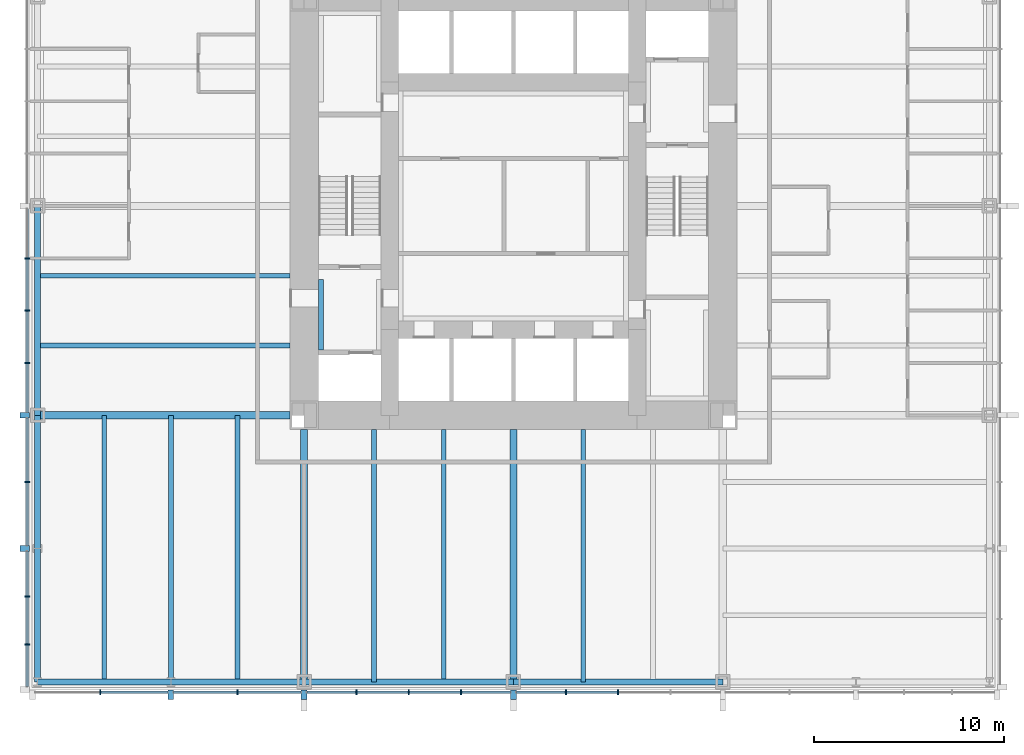
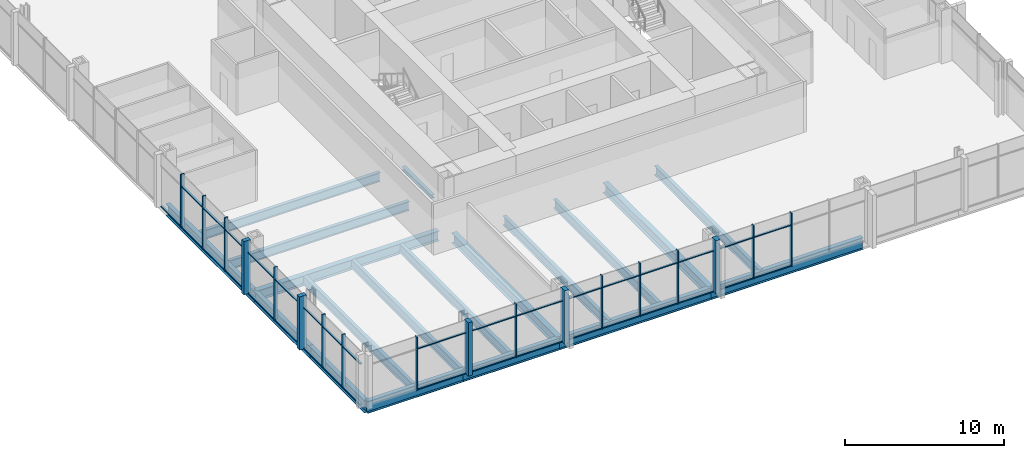
# One storey, part 2 of 12: 53 members, 19 beams, 2 elements without a shape of their own.
"""IFC4 building model written with IfcOpenShell, lengths in metres."""

import ifcopenshell
import ifcopenshell.guid

model = None  # the IFC model being written
_history = None  # IfcOwnerHistory: only IFC2X3 demands one
_inside = {}  # id of a spatial element -> (the spatial element, [elements in it])
_under = {}  # id of a project, library or spatial element -> (it, [spatial elements below it])
_declared = {}  # id of a project -> (the project, [libraries it declares])
_typed = {}  # id of a type object -> (the type object, [elements of that type])
_made_of = {}  # id of a material, layer set ... -> (it, [elements and type objects made of it])


def new_model(schema):
    """Start an empty IFC model of exactly this schema.

    Asked for "IFC4X3", IfcOpenShell would pick the latest addendum, in which some entities
    have other attributes; the version numbers below select the first issue.
    IFC2X3 requires an IfcOwnerHistory on every rooted entity: one is made here for all.
    """
    global model, _history
    if schema == "IFC4X3":
        model = ifcopenshell.file(schema_version=(4, 3, 0, 0))
    else:
        model = ifcopenshell.file(schema=schema)
    _inside.clear()
    _under.clear()
    _declared.clear()
    _typed.clear()
    _made_of.clear()
    _history = None
    if model.schema == "IFC2X3":
        org = make("IfcOrganization", Name="unknown")
        user = make(
            "IfcPersonAndOrganization",
            ThePerson=make("IfcPerson", FamilyName="unknown"),
            TheOrganization=org,
        )
        app = make(
            "IfcApplication",
            ApplicationDeveloper=org,
            Version="unknown",
            ApplicationFullName="unknown",
            ApplicationIdentifier="unknown",
        )
        _history = make(
            "IfcOwnerHistory",
            OwningUser=user,
            OwningApplication=app,
            ChangeAction="ADDED",
            CreationDate=0,
        )
    return model


def make(cls, **values):
    """One entity of the class cls with the attributes given. An attribute that is None is left unset."""
    return model.create_entity(
        cls, **{name: value for name, value in values.items() if value is not None}
    )


def rooted(cls, **values):
    """An entity with a GlobalId (a new one), such as an element, a storey or a relation."""
    return make(cls, GlobalId=ifcopenshell.guid.new(), OwnerHistory=_history, **values)


def si_unit(unit_type, name, prefix=None):
    """IfcSIUnit, for example si_unit("LENGTHUNIT", "METRE", prefix="MILLI")."""
    return make("IfcSIUnit", UnitType=unit_type, Prefix=prefix, Name=name)


def assignment(units):
    """IfcUnitAssignment: the units of a project."""
    return None if units is None else make("IfcUnitAssignment", Units=units)


def point(xyz):
    """IfcCartesianPoint."""
    return None if xyz is None else make("IfcCartesianPoint", Coordinates=xyz)


def direction(xyz):
    """IfcDirection."""
    return None if xyz is None else make("IfcDirection", DirectionRatios=xyz)


def frame(location, z_axis=None, x_axis=None):
    """IfcAxis2Placement3D, a coordinate frame: its origin and axes. An axis left out is left unset."""
    return make(
        "IfcAxis2Placement3D",
        Location=point(location),
        Axis=direction(z_axis),
        RefDirection=direction(x_axis),
    )


def frame_2d(location, x_axis=None):
    """IfcAxis2Placement2D, a coordinate frame in the plane: its origin and x axis."""
    return make(
        "IfcAxis2Placement2D", Location=point(location), RefDirection=direction(x_axis)
    )


def origin():
    """The frame at (0, 0, 0) with its axes left unset."""
    return frame((0.0, 0.0, 0.0))


def origin_2d():
    """The frame at (0, 0) in the plane with its x axis left unset."""
    return frame_2d((0.0, 0.0))


def place(relative_to, where):
    """IfcLocalPlacement: puts the frame where relative to a parent placement (None: the world)."""
    return make(
        "IfcLocalPlacement", PlacementRelTo=relative_to, RelativePlacement=where
    )


def context(
    kind, dimensions, precision=None, world=None, true_north=None, identifier=None
):
    """IfcGeometricRepresentationContext, for example the 3D "Model" context."""
    return make(
        "IfcGeometricRepresentationContext",
        ContextIdentifier=identifier,
        ContextType=kind,
        CoordinateSpaceDimension=dimensions,
        Precision=precision,
        WorldCoordinateSystem=world,
        TrueNorth=true_north,
    )


def subcontext(parent, identifier, kind, view, scale=None):
    """IfcGeometricRepresentationSubContext, for example "Body" below "Model"."""
    return make(
        "IfcGeometricRepresentationSubContext",
        ContextIdentifier=identifier,
        ContextType=kind,
        ParentContext=parent,
        TargetScale=scale,
        TargetView=view,
    )


def project(units=None, contexts=None):
    """IfcProject with its units and contexts."""
    return rooted(
        "IfcProject",
        Name="project",
        RepresentationContexts=contexts,
        UnitsInContext=assignment(units),
    )


def spatial(cls, under=None, at=None, **own):
    """A site, building, storey or space (cls), placed at a placement, below another one or the project."""
    s = rooted(cls, ObjectPlacement=at, **own)
    if under is not None:
        _under.setdefault(under.id(), (under, []))[1].append(s)
    return s


def profile(cls, at=None, kind="AREA", **sizes):
    """A parametric profile (cls). Its sizes go by their IFC names, for example OverallWidth=200.0."""
    return make(cls, ProfileType=kind, Position=at, **sizes)


def rectangle(**sizes):
    """IfcRectangleProfileDef."""
    return profile("IfcRectangleProfileDef", **sizes)


def i_section(**sizes):
    """IfcIShapeProfileDef."""
    return profile("IfcIShapeProfileDef", **sizes)


def extrude(swept, where, along, depth):
    """IfcExtrudedAreaSolid: the profile swept, set in the frame where, extruded along a direction by depth."""
    return make(
        "IfcExtrudedAreaSolid",
        SweptArea=swept,
        Position=where,
        ExtrudedDirection=direction(along),
        Depth=depth,
    )


def shape(context_of_items, identifier, shape_type, items):
    """IfcShapeRepresentation: the items that make up one representation, for example the "Body"."""
    return make(
        "IfcShapeRepresentation",
        ContextOfItems=context_of_items,
        RepresentationIdentifier=identifier,
        RepresentationType=shape_type,
        Items=items,
    )


def material(Name=None, Category=None):
    """IfcMaterial."""
    return make("IfcMaterial", Name=Name, Category=Category)


def material_profile(
    of_material, cross_section, Name=None, Category=None, Priority=None
):
    """IfcMaterialProfile: a cross section and its material."""
    return make(
        "IfcMaterialProfile",
        Name=Name,
        Material=of_material,
        Profile=cross_section,
        Priority=Priority,
        Category=Category,
    )


def profile_set(profiles, Name=None, composite=None):
    """IfcMaterialProfileSet."""
    return make(
        "IfcMaterialProfileSet",
        Name=Name,
        MaterialProfiles=profiles,
        CompositeProfile=composite,
    )


def made_of(thing, what):
    """Note that an element or type object is made of a material, layer set ...; save() writes the relation."""
    if what is not None:
        _made_of.setdefault(what.id(), (what, []))[1].append(thing)
    return thing


def type_object(cls, material=None, **own):
    """A type object (cls), such as IfcWallType, which elements share."""
    return made_of(rooted(cls, **own), material)


def element(
    cls,
    number,
    at=None,
    inside=None,
    cuts=None,
    type_object=None,
    material=None,
    context=None,
    identifier="Body",
    shape_type=None,
    held_by="IfcProductDefinitionShape",
    body=None,
    shapes=None,
    **own,
):
    """One element of the class cls, such as IfcWall. Its Tag is "e" and its number.

    at: its placement. inside: the storey or other place that contains it. cuts: it is an
    opening in that element (IfcRelVoidsElement). A single representation is given by context,
    identifier, shape_type and body (its items); several are given by shapes. held_by: the class
    of the entity that holds the representations. save() writes the other relations.
    """
    e = rooted(cls, Tag="e%d" % number, ObjectPlacement=at, **own)
    if body is not None:
        shapes = [shape(context, identifier, shape_type, body)]
    if shapes is not None:
        e.Representation = make(held_by, Representations=shapes)
    if inside is not None:
        _inside.setdefault(inside.id(), (inside, []))[1].append(e)
    if cuts is not None:
        rooted(
            "IfcRelVoidsElement", RelatingBuildingElement=cuts, RelatedOpeningElement=e
        )
    if type_object is not None:
        _typed.setdefault(type_object.id(), (type_object, []))[1].append(e)
    return made_of(e, material)


def aggregate(whole, parts):
    """IfcRelAggregates: a whole, such as a stair, and the parts it consists of."""
    return rooted("IfcRelAggregates", RelatingObject=whole, RelatedObjects=parts)


def save(model, path):
    """Write the relations noted so far, then the file.

    IfcRelAggregates (storeys below a building ...), IfcRelContainedInSpatialStructure (elements
    in a storey), IfcRelDefinesByType, IfcRelAssociatesMaterial and IfcRelDeclares: one each for
    every whole, place, type object, material and project.
    """
    for whole, parts in _under.values():
        aggregate(whole, parts)
    for where, things in _inside.values():
        rooted(
            "IfcRelContainedInSpatialStructure",
            RelatedElements=things,
            RelatingStructure=where,
        )
    for kind, things in _typed.values():
        rooted("IfcRelDefinesByType", RelatedObjects=things, RelatingType=kind)
    for what, things in _made_of.values():
        rooted("IfcRelAssociatesMaterial", RelatedObjects=things, RelatingMaterial=what)
    for by, libraries in _declared.values():
        rooted("IfcRelDeclares", RelatingContext=by, RelatedDefinitions=libraries)
    model.write(path)


model = new_model("IFC4")

# Units and contexts
model_context = context("Model", 3, precision=1e-05, world=origin(), true_north=direction((0.0, 1.0)))
body_context = subcontext(model_context, "Body", "Model", "MODEL_VIEW")
ifc_project = project(units=[si_unit("LENGTHUNIT", "METRE"), si_unit("AREAUNIT", "SQUARE_METRE"), si_unit("VOLUMEUNIT", "CUBIC_METRE"), si_unit("PLANEANGLEUNIT", "RADIAN"), si_unit("MASSUNIT", "GRAM", prefix="KILO")], contexts=[model_context])

# Site, building, storey
site_placement = place(None, origin())
site = spatial("IfcSite", under=ifc_project, at=site_placement, CompositionType="ELEMENT")
building_placement = place(site_placement, origin())
building = spatial("IfcBuilding", under=site, at=building_placement, Name="Trevanion Tower", CompositionType="ELEMENT")
storey_placement = place(building_placement, frame((0.0, 0.0, 48.800048828125)))
storey = spatial("IfcBuildingStorey", under=building, at=storey_placement, Name="L11", CompositionType="ELEMENT", Elevation=48.800048828125)

# Beams
ifc_material_1 = material(Name="Steel ASTM A992 Grade 50", Category="steel")
ifc_material_profile_1 = material_profile(ifc_material_1, i_section(OverallWidth=0.25390625, OverallDepth=0.700927734375, WebThickness=0.015380859375, FlangeThickness=0.02783203125, at=origin_2d()), Name="W27X129")
ifc_profile_set_1 = profile_set([ifc_material_profile_1], Name="Steel ASTM A992 Grade 50")
beam_type_1 = type_object("IfcBeamType", Name="B3 W27X129", PredefinedType="BEAM", material=ifc_profile_set_1)
for number, where, z_axis, x_axis, name in (
    (1, (-11.75, -3.666748046875, -0.54052734375), (-1.0, 0.0, 0.0), (0.0, -1.0, 0.0), "B3 L11"),
    (2, (-11.75, -7.333251953125, -0.54052734375), (-1.0, 0.0, 0.0), (0.0, -1.0, 0.0), "B3 L11"),
    (3, (-7.333251953125, -11.75, -0.54052734375), (0.0, -1.0, 0.0), (1.0, 0.0, 0.0), "B3 L11"),
    (4, (-3.666748046875, -11.75, -0.54052734375), (0.0, -1.0, 0.0), (1.0, 0.0, 0.0), "B3 L11"),
    (5, (3.666748046875, -11.75, -0.54052734375), (0.0, -1.0, 0.0), (1.0, 0.0, 0.0), "B3 L11"),
):
    element("IfcBeam", number, at=place(storey_placement, frame(where, z_axis=z_axis, x_axis=x_axis)), inside=storey, type_object=beam_type_1, Name=name, PredefinedType="BEAM", context=body_context, shape_type="SweptSolid", body=[
        extrude(i_section(OverallWidth=0.25390625, OverallDepth=0.700927734375, WebThickness=0.015380859375, FlangeThickness=0.02783203125, at=origin_2d()), origin(), (0.0, 0.0, 1.0), 13.25),
    ])
ifc_material_2 = material(Name="Steel ASTM A992 Grade 50", Category="steel")
ifc_material_profile_2 = material_profile(ifc_material_2, i_section(OverallWidth=0.256591796875, OverallDepth=0.693359375, WebThickness=0.014404296875, FlangeThickness=0.023681640625, at=origin_2d()), Name="W27X114")
ifc_profile_set_2 = profile_set([ifc_material_profile_2], Name="Steel ASTM A992 Grade 50")
beam_type_2 = type_object("IfcBeamType", Name="B4 W27X114", PredefinedType="BEAM", material=ifc_profile_set_2)
for number, where, z_axis, x_axis, name in (
    (6, (-14.5, -11.0, -0.536865234375), (0.0, -1.0, 0.0), (1.0, 0.0, 0.0), "B4 L11"),
    (7, (-18.0, -11.0, -0.536865234375), (0.0, -1.0, 0.0), (1.0, 0.0, 0.0), "B4 L11"),
    (8, (-21.5, -11.0, -0.536865234375), (0.0, -1.0, 0.0), (1.0, 0.0, 0.0), "B4 L11"),
):
    element("IfcBeam", number, at=place(storey_placement, frame(where, z_axis=z_axis, x_axis=x_axis)), inside=storey, type_object=beam_type_2, Name=name, PredefinedType="BEAM", context=body_context, shape_type="SweptSolid", body=[
        extrude(i_section(OverallWidth=0.256591796875, OverallDepth=0.693359375, WebThickness=0.014404296875, FlangeThickness=0.023681640625, at=origin_2d()), origin(), (0.0, 0.0, 1.0), 14.0),
    ])

# Curtain wall, members
ifc_material_3 = material(Name="Aluminium and glass", Category="aluminium")
curtain_wall_type = type_object("IfcCurtainWallType", Name="CW1 curtain wall", PredefinedType="USERDEFINED", material=ifc_material_3)
curtain_wall_1_placement = place(storey_placement, origin())
curtain_wall_1 = element("IfcCurtainWall", 9, at=curtain_wall_1_placement, inside=storey, type_object=curtain_wall_type, Name="CW1 L11 2", ObjectType="UNITISED CURTAIN WALL", PredefinedType="USERDEFINED")
ifc_material_4 = material(Name="Aluminium extrusion, anodised bronze", Category="aluminium")
ifc_material_profile_3 = material_profile(ifc_material_4, rectangle(XDim=0.074951171875, YDim=0.25, at=origin_2d()), Name="CW1 mullion")
ifc_profile_set_3 = profile_set([ifc_material_profile_3], Name="Aluminium extrusion, anodised bronze")
member_type_1 = type_object("IfcMemberType", Name="CW1 mullion", PredefinedType="MULLION", material=ifc_profile_set_3)
member_1_placement = place(storey_placement, frame((-25.550048828125, -2.75, -0.18994140625), z_axis=(0.0, 0.0, 1.0), x_axis=(0.0, -1.0, 0.0)))
member_1 = element("IfcMember", 10, at=member_1_placement, type_object=member_type_1, Name="CW1 mullion 10", PredefinedType="MULLION", context=body_context, shape_type="SweptSolid", body=[
    extrude(rectangle(XDim=0.074951171875, YDim=0.25, at=origin_2d()), origin(), (0.0, 0.0, 1.0), 4.099853515625),
])
member_2_placement = place(storey_placement, frame((-25.550048828125, -5.5, -0.18994140625), z_axis=(0.0, 0.0, 1.0), x_axis=(0.0, -1.0, 0.0)))
member_2 = element("IfcMember", 11, at=member_2_placement, type_object=member_type_1, Name="CW1 mullion 11", PredefinedType="MULLION", context=body_context, shape_type="SweptSolid", body=[
    extrude(rectangle(XDim=0.074951171875, YDim=0.25, at=origin_2d()), origin(), (0.0, 0.0, 1.0), 4.099853515625),
])
member_3_placement = place(storey_placement, frame((-25.550048828125, -8.25, -0.18994140625), z_axis=(0.0, 0.0, 1.0), x_axis=(0.0, -1.0, 0.0)))
member_3 = element("IfcMember", 12, at=member_3_placement, type_object=member_type_1, Name="CW1 mullion 12", PredefinedType="MULLION", context=body_context, shape_type="SweptSolid", body=[
    extrude(rectangle(XDim=0.074951171875, YDim=0.25, at=origin_2d()), origin(), (0.0, 0.0, 1.0), 4.099853515625),
])
member_4_placement = place(storey_placement, frame((-25.550048828125, -14.5, -0.18994140625), z_axis=(0.0, 0.0, 1.0), x_axis=(0.0, -1.0, 0.0)))
member_4 = element("IfcMember", 13, at=member_4_placement, type_object=member_type_1, Name="CW1 mullion 14", PredefinedType="MULLION", context=body_context, shape_type="SweptSolid", body=[
    extrude(rectangle(XDim=0.074951171875, YDim=0.25, at=origin_2d()), origin(), (0.0, 0.0, 1.0), 4.099853515625),
])
member_5_placement = place(storey_placement, frame((-25.550048828125, -20.5166015625, -0.18994140625), z_axis=(0.0, 0.0, 1.0), x_axis=(0.0, -1.0, 0.0)))
member_5 = element("IfcMember", 14, at=member_5_placement, type_object=member_type_1, Name="CW1 mullion 16", PredefinedType="MULLION", context=body_context, shape_type="SweptSolid", body=[
    extrude(rectangle(XDim=0.074951171875, YDim=0.25, at=origin_2d()), origin(), (0.0, 0.0, 1.0), 4.099853515625),
])
member_6_placement = place(storey_placement, frame((-25.550048828125, -23.033203125, -0.18994140625), z_axis=(0.0, 0.0, 1.0), x_axis=(0.0, -1.0, 0.0)))
member_6 = element("IfcMember", 15, at=member_6_placement, type_object=member_type_1, Name="CW1 mullion 17", PredefinedType="MULLION", context=body_context, shape_type="SweptSolid", body=[
    extrude(rectangle(XDim=0.074951171875, YDim=0.25, at=origin_2d()), origin(), (0.0, 0.0, 1.0), 4.099853515625),
])

curtain_wall_2_placement = place(storey_placement, origin())
curtain_wall_2 = element("IfcCurtainWall", 16, at=curtain_wall_2_placement, inside=storey, type_object=curtain_wall_type, Name="CW1 L11 3", ObjectType="UNITISED CURTAIN WALL", PredefinedType="USERDEFINED")
member_7_placement = place(storey_placement, frame((-21.7099609375, -25.550048828125, -0.18994140625), z_axis=(0.0, 0.0, 1.0), x_axis=(1.0, 0.0, 0.0)))
member_7 = element("IfcMember", 17, at=member_7_placement, type_object=member_type_1, Name="CW1 mullion 2", PredefinedType="MULLION", context=body_context, shape_type="SweptSolid", body=[
    extrude(rectangle(XDim=0.074951171875, YDim=0.25, at=origin_2d()), origin(), (0.0, 0.0, 1.0), 4.099853515625),
])
member_8_placement = place(storey_placement, frame((-14.5, -25.550048828125, -0.18994140625), z_axis=(0.0, 0.0, 1.0), x_axis=(1.0, 0.0, 0.0)))
member_8 = element("IfcMember", 18, at=member_8_placement, type_object=member_type_1, Name="CW1 mullion 4", PredefinedType="MULLION", context=body_context, shape_type="SweptSolid", body=[
    extrude(rectangle(XDim=0.074951171875, YDim=0.25, at=origin_2d()), origin(), (0.0, 0.0, 1.0), 4.099853515625),
])
member_9_placement = place(storey_placement, frame((-8.25, -25.550048828125, -0.18994140625), z_axis=(0.0, 0.0, 1.0), x_axis=(1.0, 0.0, 0.0)))
member_9 = element("IfcMember", 19, at=member_9_placement, type_object=member_type_1, Name="CW1 mullion 6", PredefinedType="MULLION", context=body_context, shape_type="SweptSolid", body=[
    extrude(rectangle(XDim=0.074951171875, YDim=0.25, at=origin_2d()), origin(), (0.0, 0.0, 1.0), 4.099853515625),
])
member_10_placement = place(storey_placement, frame((-5.5, -25.550048828125, -0.18994140625), z_axis=(0.0, 0.0, 1.0), x_axis=(1.0, 0.0, 0.0)))
member_10 = element("IfcMember", 20, at=member_10_placement, type_object=member_type_1, Name="CW1 mullion 7", PredefinedType="MULLION", context=body_context, shape_type="SweptSolid", body=[
    extrude(rectangle(XDim=0.074951171875, YDim=0.25, at=origin_2d()), origin(), (0.0, 0.0, 1.0), 4.099853515625),
])
member_11_placement = place(storey_placement, frame((-2.75, -25.550048828125, -0.18994140625), z_axis=(0.0, 0.0, 1.0), x_axis=(1.0, 0.0, 0.0)))
member_11 = element("IfcMember", 21, at=member_11_placement, type_object=member_type_1, Name="CW1 mullion 8", PredefinedType="MULLION", context=body_context, shape_type="SweptSolid", body=[
    extrude(rectangle(XDim=0.074951171875, YDim=0.25, at=origin_2d()), origin(), (0.0, 0.0, 1.0), 4.099853515625),
])
member_12_placement = place(storey_placement, frame((2.75, -25.550048828125, -0.18994140625), z_axis=(0.0, 0.0, 1.0), x_axis=(1.0, 0.0, 0.0)))
member_12 = element("IfcMember", 22, at=member_12_placement, type_object=member_type_1, Name="CW1 mullion 10", PredefinedType="MULLION", context=body_context, shape_type="SweptSolid", body=[
    extrude(rectangle(XDim=0.074951171875, YDim=0.25, at=origin_2d()), origin(), (0.0, 0.0, 1.0), 4.099853515625),
])
member_13_placement = place(storey_placement, frame((5.5, -25.550048828125, -0.18994140625), z_axis=(0.0, 0.0, 1.0), x_axis=(1.0, 0.0, 0.0)))
member_13 = element("IfcMember", 23, at=member_13_placement, type_object=member_type_1, Name="CW1 mullion 11", PredefinedType="MULLION", context=body_context, shape_type="SweptSolid", body=[
    extrude(rectangle(XDim=0.074951171875, YDim=0.25, at=origin_2d()), origin(), (0.0, 0.0, 1.0), 4.099853515625),
])

# Member
ifc_material_5 = material(Name="Aluminium extrusion, anodised bronze", Category="aluminium")
ifc_material_profile_4 = material_profile(ifc_material_5, rectangle(XDim=0.300048828125, YDim=0.5, at=origin_2d()), Name="CW1 pier mullion")
ifc_profile_set_4 = profile_set([ifc_material_profile_4], Name="Aluminium extrusion, anodised bronze")
member_type_2 = type_object("IfcMemberType", Name="CW1 pier mullion", PredefinedType="MULLION", material=ifc_profile_set_4)
member_14_placement = place(storey_placement, frame((-25.675048828125, -11.0, -0.18994140625), z_axis=(0.0, 0.0, 1.0), x_axis=(0.0, -1.0, 0.0)))
member_14 = element("IfcMember", 24, at=member_14_placement, type_object=member_type_2, Name="CW1 pier mullion 13", PredefinedType="MULLION", context=body_context, shape_type="SweptSolid", body=[
    extrude(rectangle(XDim=0.300048828125, YDim=0.5, at=origin_2d()), origin(), (0.0, 0.0, 1.0), 4.099853515625),
])

member_15_placement = place(storey_placement, frame((-25.675048828125, -18.0, -0.18994140625), z_axis=(0.0, 0.0, 1.0), x_axis=(0.0, -1.0, 0.0)))
member_15 = element("IfcMember", 25, at=member_15_placement, type_object=member_type_2, Name="CW1 pier mullion 15", PredefinedType="MULLION", context=body_context, shape_type="SweptSolid", body=[
    extrude(rectangle(XDim=0.300048828125, YDim=0.5, at=origin_2d()), origin(), (0.0, 0.0, 1.0), 4.099853515625),
])

member_16_placement = place(storey_placement, frame((-18.0, -25.675048828125, -0.18994140625), z_axis=(0.0, 0.0, 1.0), x_axis=(1.0, 0.0, 0.0)))
member_16 = element("IfcMember", 26, at=member_16_placement, type_object=member_type_2, Name="CW1 pier mullion 3", PredefinedType="MULLION", context=body_context, shape_type="SweptSolid", body=[
    extrude(rectangle(XDim=0.300048828125, YDim=0.5, at=origin_2d()), origin(), (0.0, 0.0, 1.0), 4.099853515625),
])

member_17_placement = place(storey_placement, frame((-11.0, -25.675048828125, -0.18994140625), z_axis=(0.0, 0.0, 1.0), x_axis=(1.0, 0.0, 0.0)))
member_17 = element("IfcMember", 27, at=member_17_placement, type_object=member_type_2, Name="CW1 pier mullion 5", PredefinedType="MULLION", context=body_context, shape_type="SweptSolid", body=[
    extrude(rectangle(XDim=0.300048828125, YDim=0.5, at=origin_2d()), origin(), (0.0, 0.0, 1.0), 4.099853515625),
])

member_18_placement = place(storey_placement, frame((0.0, -25.675048828125, -0.18994140625), z_axis=(0.0, 0.0, 1.0), x_axis=(1.0, 0.0, 0.0)))
member_18 = element("IfcMember", 28, at=member_18_placement, type_object=member_type_2, Name="CW1 pier mullion 9", PredefinedType="MULLION", context=body_context, shape_type="SweptSolid", body=[
    extrude(rectangle(XDim=0.300048828125, YDim=0.5, at=origin_2d()), origin(), (0.0, 0.0, 1.0), 4.099853515625),
])

ifc_material_6 = material(Name="Aluminium extrusion, anodised bronze", Category="aluminium")
ifc_material_profile_5 = material_profile(ifc_material_6, rectangle(XDim=0.14990234375, YDim=0.074951171875, at=origin_2d()), Name="CW1 transom")
ifc_profile_set_5 = profile_set([ifc_material_profile_5], Name="Aluminium extrusion, anodised bronze")
member_type_3 = type_object("IfcMemberType", Name="CW1 transom", PredefinedType="USERDEFINED", material=ifc_profile_set_5)
member_19_placement = place(storey_placement, frame((-25.550048828125, -0.14990234375, -0.152587890625), z_axis=(0.0, -1.0, 0.0), x_axis=(1.0, 0.0, 0.0)))
member_19 = element("IfcMember", 29, at=member_19_placement, type_object=member_type_3, Name="CW1 transom 9.1", ObjectType="TRANSOM", PredefinedType="USERDEFINED", context=body_context, shape_type="SweptSolid", body=[
    extrude(rectangle(XDim=0.14990234375, YDim=0.074951171875, at=origin_2d()), origin(), (0.0, 0.0, 1.0), 2.5625),
])

member_20_placement = place(storey_placement, frame((-25.550048828125, -2.78759765625, -0.152587890625), z_axis=(0.0, -1.0, 0.0), x_axis=(1.0, 0.0, 0.0)))
member_20 = element("IfcMember", 30, at=member_20_placement, type_object=member_type_3, Name="CW1 transom 10.1", ObjectType="TRANSOM", PredefinedType="USERDEFINED", context=body_context, shape_type="SweptSolid", body=[
    extrude(rectangle(XDim=0.14990234375, YDim=0.074951171875, at=origin_2d()), origin(), (0.0, 0.0, 1.0), 2.6748046875),
])

member_21_placement = place(storey_placement, frame((-25.550048828125, -2.78759765625, 2.9599609375), z_axis=(0.0, -1.0, 0.0), x_axis=(1.0, 0.0, 0.0)))
member_21 = element("IfcMember", 31, at=member_21_placement, type_object=member_type_3, Name="CW1 transom 10.2", ObjectType="TRANSOM", PredefinedType="USERDEFINED", context=body_context, shape_type="SweptSolid", body=[
    extrude(rectangle(XDim=0.14990234375, YDim=0.074951171875, at=origin_2d()), origin(), (0.0, 0.0, 1.0), 2.6748046875),
])

member_22_placement = place(storey_placement, frame((-25.550048828125, -5.53759765625, -0.152587890625), z_axis=(0.0, -1.0, 0.0), x_axis=(1.0, 0.0, 0.0)))
member_22 = element("IfcMember", 32, at=member_22_placement, type_object=member_type_3, Name="CW1 transom 11.1", ObjectType="TRANSOM", PredefinedType="USERDEFINED", context=body_context, shape_type="SweptSolid", body=[
    extrude(rectangle(XDim=0.14990234375, YDim=0.074951171875, at=origin_2d()), origin(), (0.0, 0.0, 1.0), 2.6748046875),
])

member_23_placement = place(storey_placement, frame((-25.550048828125, -5.53759765625, 2.9599609375), z_axis=(0.0, -1.0, 0.0), x_axis=(1.0, 0.0, 0.0)))
member_23 = element("IfcMember", 33, at=member_23_placement, type_object=member_type_3, Name="CW1 transom 11.2", ObjectType="TRANSOM", PredefinedType="USERDEFINED", context=body_context, shape_type="SweptSolid", body=[
    extrude(rectangle(XDim=0.14990234375, YDim=0.074951171875, at=origin_2d()), origin(), (0.0, 0.0, 1.0), 2.6748046875),
])

member_24_placement = place(storey_placement, frame((-25.550048828125, -8.28759765625, -0.152587890625), z_axis=(0.0, -1.0, 0.0), x_axis=(1.0, 0.0, 0.0)))
member_24 = element("IfcMember", 34, at=member_24_placement, type_object=member_type_3, Name="CW1 transom 12.1", ObjectType="TRANSOM", PredefinedType="USERDEFINED", context=body_context, shape_type="SweptSolid", body=[
    extrude(rectangle(XDim=0.14990234375, YDim=0.074951171875, at=origin_2d()), origin(), (0.0, 0.0, 1.0), 2.5625),
])

member_25_placement = place(storey_placement, frame((-25.550048828125, -8.28759765625, 2.9599609375), z_axis=(0.0, -1.0, 0.0), x_axis=(1.0, 0.0, 0.0)))
member_25 = element("IfcMember", 35, at=member_25_placement, type_object=member_type_3, Name="CW1 transom 12.2", ObjectType="TRANSOM", PredefinedType="USERDEFINED", context=body_context, shape_type="SweptSolid", body=[
    extrude(rectangle(XDim=0.14990234375, YDim=0.074951171875, at=origin_2d()), origin(), (0.0, 0.0, 1.0), 2.5625),
])

member_26_placement = place(storey_placement, frame((-25.550048828125, -11.14990234375, -0.152587890625), z_axis=(0.0, -1.0, 0.0), x_axis=(1.0, 0.0, 0.0)))
member_26 = element("IfcMember", 36, at=member_26_placement, type_object=member_type_3, Name="CW1 transom 13.1", ObjectType="TRANSOM", PredefinedType="USERDEFINED", context=body_context, shape_type="SweptSolid", body=[
    extrude(rectangle(XDim=0.14990234375, YDim=0.074951171875, at=origin_2d()), origin(), (0.0, 0.0, 1.0), 3.3125),
])

member_27_placement = place(storey_placement, frame((-25.550048828125, -11.14990234375, 2.9599609375), z_axis=(0.0, -1.0, 0.0), x_axis=(1.0, 0.0, 0.0)))
member_27 = element("IfcMember", 37, at=member_27_placement, type_object=member_type_3, Name="CW1 transom 13.2", ObjectType="TRANSOM", PredefinedType="USERDEFINED", context=body_context, shape_type="SweptSolid", body=[
    extrude(rectangle(XDim=0.14990234375, YDim=0.074951171875, at=origin_2d()), origin(), (0.0, 0.0, 1.0), 3.3125),
])

member_28_placement = place(storey_placement, frame((-25.550048828125, -14.53759765625, -0.152587890625), z_axis=(0.0, -1.0, 0.0), x_axis=(1.0, 0.0, 0.0)))
member_28 = element("IfcMember", 38, at=member_28_placement, type_object=member_type_3, Name="CW1 transom 14.1", ObjectType="TRANSOM", PredefinedType="USERDEFINED", context=body_context, shape_type="SweptSolid", body=[
    extrude(rectangle(XDim=0.14990234375, YDim=0.074951171875, at=origin_2d()), origin(), (0.0, 0.0, 1.0), 3.3125),
])

member_29_placement = place(storey_placement, frame((-25.550048828125, -14.53759765625, 2.9599609375), z_axis=(0.0, -1.0, 0.0), x_axis=(1.0, 0.0, 0.0)))
member_29 = element("IfcMember", 39, at=member_29_placement, type_object=member_type_3, Name="CW1 transom 14.2", ObjectType="TRANSOM", PredefinedType="USERDEFINED", context=body_context, shape_type="SweptSolid", body=[
    extrude(rectangle(XDim=0.14990234375, YDim=0.074951171875, at=origin_2d()), origin(), (0.0, 0.0, 1.0), 3.3125),
])

member_30_placement = place(storey_placement, frame((-25.550048828125, -18.14990234375, -0.152587890625), z_axis=(0.0, -1.0, 0.0), x_axis=(1.0, 0.0, 0.0)))
member_30 = element("IfcMember", 40, at=member_30_placement, type_object=member_type_3, Name="CW1 transom 15.1", ObjectType="TRANSOM", PredefinedType="USERDEFINED", context=body_context, shape_type="SweptSolid", body=[
    extrude(rectangle(XDim=0.14990234375, YDim=0.074951171875, at=origin_2d()), origin(), (0.0, 0.0, 1.0), 2.329345703125),
])

member_31_placement = place(storey_placement, frame((-25.550048828125, -18.14990234375, 2.9599609375), z_axis=(0.0, -1.0, 0.0), x_axis=(1.0, 0.0, 0.0)))
member_31 = element("IfcMember", 41, at=member_31_placement, type_object=member_type_3, Name="CW1 transom 15.2", ObjectType="TRANSOM", PredefinedType="USERDEFINED", context=body_context, shape_type="SweptSolid", body=[
    extrude(rectangle(XDim=0.14990234375, YDim=0.074951171875, at=origin_2d()), origin(), (0.0, 0.0, 1.0), 2.329345703125),
])

member_32_placement = place(storey_placement, frame((-25.550048828125, -20.55419921875, -0.152587890625), z_axis=(0.0, -1.0, 0.0), x_axis=(1.0, 0.0, 0.0)))
member_32 = element("IfcMember", 42, at=member_32_placement, type_object=member_type_3, Name="CW1 transom 16.1", ObjectType="TRANSOM", PredefinedType="USERDEFINED", context=body_context, shape_type="SweptSolid", body=[
    extrude(rectangle(XDim=0.14990234375, YDim=0.074951171875, at=origin_2d()), origin(), (0.0, 0.0, 1.0), 2.441650390625),
])

member_33_placement = place(storey_placement, frame((-25.550048828125, -20.55419921875, 2.9599609375), z_axis=(0.0, -1.0, 0.0), x_axis=(1.0, 0.0, 0.0)))
member_33 = element("IfcMember", 43, at=member_33_placement, type_object=member_type_3, Name="CW1 transom 16.2", ObjectType="TRANSOM", PredefinedType="USERDEFINED", context=body_context, shape_type="SweptSolid", body=[
    extrude(rectangle(XDim=0.14990234375, YDim=0.074951171875, at=origin_2d()), origin(), (0.0, 0.0, 1.0), 2.441650390625),
])

member_34_placement = place(storey_placement, frame((-25.550048828125, -23.07080078125, -0.152587890625), z_axis=(0.0, -1.0, 0.0), x_axis=(1.0, 0.0, 0.0)))
member_34 = element("IfcMember", 44, at=member_34_placement, type_object=member_type_3, Name="CW1 transom 17.1", ObjectType="TRANSOM", PredefinedType="USERDEFINED", context=body_context, shape_type="SweptSolid", body=[
    extrude(rectangle(XDim=0.14990234375, YDim=0.074951171875, at=origin_2d()), origin(), (0.0, 0.0, 1.0), 2.17919921875),
])

member_35_placement = place(storey_placement, frame((-25.550048828125, -23.07080078125, 2.9599609375), z_axis=(0.0, -1.0, 0.0), x_axis=(1.0, 0.0, 0.0)))
member_35 = element("IfcMember", 45, at=member_35_placement, type_object=member_type_3, Name="CW1 transom 17.2", ObjectType="TRANSOM", PredefinedType="USERDEFINED", context=body_context, shape_type="SweptSolid", body=[
    extrude(rectangle(XDim=0.14990234375, YDim=0.074951171875, at=origin_2d()), origin(), (0.0, 0.0, 1.0), 2.17919921875),
])

aggregate(curtain_wall_1, [member_1, member_2, member_3, member_14, member_4, member_15, member_5, member_6, member_19, member_20, member_21, member_22, member_23, member_24, member_25, member_26, member_27, member_28, member_29, member_30, member_31, member_32, member_33, member_34, member_35])

member_36_placement = place(storey_placement, frame((-21.672607421875, -25.550048828125, -0.152587890625), z_axis=(1.0, 0.0, 0.0), x_axis=(0.0, 1.0, 0.0)))
member_36 = element("IfcMember", 46, at=member_36_placement, type_object=member_type_3, Name="CW1 transom 2.1", ObjectType="TRANSOM", PredefinedType="USERDEFINED", context=body_context, shape_type="SweptSolid", body=[
    extrude(rectangle(XDim=0.14990234375, YDim=0.074951171875, at=origin_2d()), origin(), (0.0, 0.0, 1.0), 3.522705078125),
])

member_37_placement = place(storey_placement, frame((-21.672607421875, -25.550048828125, 2.9599609375), z_axis=(1.0, 0.0, 0.0), x_axis=(0.0, 1.0, 0.0)))
member_37 = element("IfcMember", 47, at=member_37_placement, type_object=member_type_3, Name="CW1 transom 2.2", ObjectType="TRANSOM", PredefinedType="USERDEFINED", context=body_context, shape_type="SweptSolid", body=[
    extrude(rectangle(XDim=0.14990234375, YDim=0.074951171875, at=origin_2d()), origin(), (0.0, 0.0, 1.0), 3.522705078125),
])

member_38_placement = place(storey_placement, frame((-17.85009765625, -25.550048828125, -0.152587890625), z_axis=(1.0, 0.0, 0.0), x_axis=(0.0, 1.0, 0.0)))
member_38 = element("IfcMember", 48, at=member_38_placement, type_object=member_type_3, Name="CW1 transom 3.1", ObjectType="TRANSOM", PredefinedType="USERDEFINED", context=body_context, shape_type="SweptSolid", body=[
    extrude(rectangle(XDim=0.14990234375, YDim=0.074951171875, at=origin_2d()), origin(), (0.0, 0.0, 1.0), 3.3125),
])

member_39_placement = place(storey_placement, frame((-17.85009765625, -25.550048828125, 2.9599609375), z_axis=(1.0, 0.0, 0.0), x_axis=(0.0, 1.0, 0.0)))
member_39 = element("IfcMember", 49, at=member_39_placement, type_object=member_type_3, Name="CW1 transom 3.2", ObjectType="TRANSOM", PredefinedType="USERDEFINED", context=body_context, shape_type="SweptSolid", body=[
    extrude(rectangle(XDim=0.14990234375, YDim=0.074951171875, at=origin_2d()), origin(), (0.0, 0.0, 1.0), 3.3125),
])

member_40_placement = place(storey_placement, frame((-14.46240234375, -25.550048828125, -0.152587890625), z_axis=(1.0, 0.0, 0.0), x_axis=(0.0, 1.0, 0.0)))
member_40 = element("IfcMember", 50, at=member_40_placement, type_object=member_type_3, Name="CW1 transom 4.1", ObjectType="TRANSOM", PredefinedType="USERDEFINED", context=body_context, shape_type="SweptSolid", body=[
    extrude(rectangle(XDim=0.14990234375, YDim=0.074951171875, at=origin_2d()), origin(), (0.0, 0.0, 1.0), 3.3125),
])

member_41_placement = place(storey_placement, frame((-14.46240234375, -25.550048828125, 2.9599609375), z_axis=(1.0, 0.0, 0.0), x_axis=(0.0, 1.0, 0.0)))
member_41 = element("IfcMember", 51, at=member_41_placement, type_object=member_type_3, Name="CW1 transom 4.2", ObjectType="TRANSOM", PredefinedType="USERDEFINED", context=body_context, shape_type="SweptSolid", body=[
    extrude(rectangle(XDim=0.14990234375, YDim=0.074951171875, at=origin_2d()), origin(), (0.0, 0.0, 1.0), 3.3125),
])

member_42_placement = place(storey_placement, frame((-10.85009765625, -25.550048828125, -0.152587890625), z_axis=(1.0, 0.0, 0.0), x_axis=(0.0, 1.0, 0.0)))
member_42 = element("IfcMember", 52, at=member_42_placement, type_object=member_type_3, Name="CW1 transom 5.1", ObjectType="TRANSOM", PredefinedType="USERDEFINED", context=body_context, shape_type="SweptSolid", body=[
    extrude(rectangle(XDim=0.14990234375, YDim=0.074951171875, at=origin_2d()), origin(), (0.0, 0.0, 1.0), 2.5625),
])

member_43_placement = place(storey_placement, frame((-10.85009765625, -25.550048828125, 2.9599609375), z_axis=(1.0, 0.0, 0.0), x_axis=(0.0, 1.0, 0.0)))
member_43 = element("IfcMember", 53, at=member_43_placement, type_object=member_type_3, Name="CW1 transom 5.2", ObjectType="TRANSOM", PredefinedType="USERDEFINED", context=body_context, shape_type="SweptSolid", body=[
    extrude(rectangle(XDim=0.14990234375, YDim=0.074951171875, at=origin_2d()), origin(), (0.0, 0.0, 1.0), 2.5625),
])

member_44_placement = place(storey_placement, frame((-8.21240234375, -25.550048828125, -0.152587890625), z_axis=(1.0, 0.0, 0.0), x_axis=(0.0, 1.0, 0.0)))
member_44 = element("IfcMember", 54, at=member_44_placement, type_object=member_type_3, Name="CW1 transom 6.1", ObjectType="TRANSOM", PredefinedType="USERDEFINED", context=body_context, shape_type="SweptSolid", body=[
    extrude(rectangle(XDim=0.14990234375, YDim=0.074951171875, at=origin_2d()), origin(), (0.0, 0.0, 1.0), 2.6748046875),
])

member_45_placement = place(storey_placement, frame((-8.21240234375, -25.550048828125, 2.9599609375), z_axis=(1.0, 0.0, 0.0), x_axis=(0.0, 1.0, 0.0)))
member_45 = element("IfcMember", 55, at=member_45_placement, type_object=member_type_3, Name="CW1 transom 6.2", ObjectType="TRANSOM", PredefinedType="USERDEFINED", context=body_context, shape_type="SweptSolid", body=[
    extrude(rectangle(XDim=0.14990234375, YDim=0.074951171875, at=origin_2d()), origin(), (0.0, 0.0, 1.0), 2.6748046875),
])

member_46_placement = place(storey_placement, frame((-5.46240234375, -25.550048828125, -0.152587890625), z_axis=(1.0, 0.0, 0.0), x_axis=(0.0, 1.0, 0.0)))
member_46 = element("IfcMember", 56, at=member_46_placement, type_object=member_type_3, Name="CW1 transom 7.1", ObjectType="TRANSOM", PredefinedType="USERDEFINED", context=body_context, shape_type="SweptSolid", body=[
    extrude(rectangle(XDim=0.14990234375, YDim=0.074951171875, at=origin_2d()), origin(), (0.0, 0.0, 1.0), 2.6748046875),
])

member_47_placement = place(storey_placement, frame((-5.46240234375, -25.550048828125, 2.9599609375), z_axis=(1.0, 0.0, 0.0), x_axis=(0.0, 1.0, 0.0)))
member_47 = element("IfcMember", 57, at=member_47_placement, type_object=member_type_3, Name="CW1 transom 7.2", ObjectType="TRANSOM", PredefinedType="USERDEFINED", context=body_context, shape_type="SweptSolid", body=[
    extrude(rectangle(XDim=0.14990234375, YDim=0.074951171875, at=origin_2d()), origin(), (0.0, 0.0, 1.0), 2.6748046875),
])

member_48_placement = place(storey_placement, frame((-2.71240234375, -25.550048828125, -0.152587890625), z_axis=(1.0, 0.0, 0.0), x_axis=(0.0, 1.0, 0.0)))
member_48 = element("IfcMember", 58, at=member_48_placement, type_object=member_type_3, Name="CW1 transom 8.1", ObjectType="TRANSOM", PredefinedType="USERDEFINED", context=body_context, shape_type="SweptSolid", body=[
    extrude(rectangle(XDim=0.14990234375, YDim=0.074951171875, at=origin_2d()), origin(), (0.0, 0.0, 1.0), 2.5625),
])

member_49_placement = place(storey_placement, frame((-2.71240234375, -25.550048828125, 2.9599609375), z_axis=(1.0, 0.0, 0.0), x_axis=(0.0, 1.0, 0.0)))
member_49 = element("IfcMember", 59, at=member_49_placement, type_object=member_type_3, Name="CW1 transom 8.2", ObjectType="TRANSOM", PredefinedType="USERDEFINED", context=body_context, shape_type="SweptSolid", body=[
    extrude(rectangle(XDim=0.14990234375, YDim=0.074951171875, at=origin_2d()), origin(), (0.0, 0.0, 1.0), 2.5625),
])

member_50_placement = place(storey_placement, frame((0.14990234375, -25.550048828125, -0.152587890625), z_axis=(1.0, 0.0, 0.0), x_axis=(0.0, 1.0, 0.0)))
member_50 = element("IfcMember", 60, at=member_50_placement, type_object=member_type_3, Name="CW1 transom 9.1", ObjectType="TRANSOM", PredefinedType="USERDEFINED", context=body_context, shape_type="SweptSolid", body=[
    extrude(rectangle(XDim=0.14990234375, YDim=0.074951171875, at=origin_2d()), origin(), (0.0, 0.0, 1.0), 2.5625),
])

member_51_placement = place(storey_placement, frame((0.14990234375, -25.550048828125, 2.9599609375), z_axis=(1.0, 0.0, 0.0), x_axis=(0.0, 1.0, 0.0)))
member_51 = element("IfcMember", 61, at=member_51_placement, type_object=member_type_3, Name="CW1 transom 9.2", ObjectType="TRANSOM", PredefinedType="USERDEFINED", context=body_context, shape_type="SweptSolid", body=[
    extrude(rectangle(XDim=0.14990234375, YDim=0.074951171875, at=origin_2d()), origin(), (0.0, 0.0, 1.0), 2.5625),
])

member_52_placement = place(storey_placement, frame((2.78759765625, -25.550048828125, -0.152587890625), z_axis=(1.0, 0.0, 0.0), x_axis=(0.0, 1.0, 0.0)))
member_52 = element("IfcMember", 62, at=member_52_placement, type_object=member_type_3, Name="CW1 transom 10.1", ObjectType="TRANSOM", PredefinedType="USERDEFINED", context=body_context, shape_type="SweptSolid", body=[
    extrude(rectangle(XDim=0.14990234375, YDim=0.074951171875, at=origin_2d()), origin(), (0.0, 0.0, 1.0), 2.6748046875),
])

member_53_placement = place(storey_placement, frame((2.78759765625, -25.550048828125, 2.9599609375), z_axis=(1.0, 0.0, 0.0), x_axis=(0.0, 1.0, 0.0)))
member_53 = element("IfcMember", 63, at=member_53_placement, type_object=member_type_3, Name="CW1 transom 10.2", ObjectType="TRANSOM", PredefinedType="USERDEFINED", context=body_context, shape_type="SweptSolid", body=[
    extrude(rectangle(XDim=0.14990234375, YDim=0.074951171875, at=origin_2d()), origin(), (0.0, 0.0, 1.0), 2.6748046875),
])

aggregate(curtain_wall_2, [member_7, member_16, member_8, member_17, member_9, member_10, member_11, member_18, member_12, member_13, member_36, member_37, member_38, member_39, member_40, member_41, member_42, member_43, member_44, member_45, member_46, member_47, member_48, member_49, member_50, member_51, member_52, member_53])

# Beams
ifc_material_7 = material(Name="Steel ASTM A992 Grade 50", Category="steel")
ifc_material_profile_6 = material_profile(ifc_material_7, i_section(OverallWidth=0.381103515625, OverallDepth=0.77978515625, WebThickness=0.01806640625, FlangeThickness=0.0302734375, at=origin_2d()), Name="W30X191")
ifc_profile_set_6 = profile_set([ifc_material_profile_6], Name="Steel ASTM A992 Grade 50")
beam_type_3 = type_object("IfcBeamType", Name="G2 W30X191", PredefinedType="BEAM", material=ifc_profile_set_6)
for number, where, z_axis, x_axis, name in (
    (64, (-11.75, -11.0, -0.579833984375), (-1.0, 0.0, 0.0), (0.0, -1.0, 0.0), "G2 L11"),
    (65, (-11.0, -11.75, -0.579833984375), (0.0, -1.0, 0.0), (1.0, 0.0, 0.0), "G2 L11"),
    (66, (0.0, -11.75, -0.579833984375), (0.0, -1.0, 0.0), (1.0, 0.0, 0.0), "G2 L11"),
):
    element("IfcBeam", number, at=place(storey_placement, frame(where, z_axis=z_axis, x_axis=x_axis)), inside=storey, type_object=beam_type_3, Name=name, PredefinedType="BEAM", context=body_context, shape_type="SweptSolid", body=[
        extrude(i_section(OverallWidth=0.381103515625, OverallDepth=0.77978515625, WebThickness=0.01806640625, FlangeThickness=0.0302734375, at=origin_2d()), origin(), (0.0, 0.0, 1.0), 13.25),
    ])
ifc_material_8 = material(Name="Steel ASTM A992 Grade 50", Category="steel")
ifc_material_profile_7 = material_profile(ifc_material_8, i_section(OverallWidth=0.256591796875, OverallDepth=0.26416015625, WebThickness=0.011962890625, FlangeThickness=0.01953125, at=origin_2d()), Name="W10X68")
ifc_profile_set_7 = profile_set([ifc_material_profile_7], Name="Steel ASTM A992 Grade 50")
beam_type_4 = type_object("IfcBeamType", Name="LB1 W10X68", PredefinedType="BEAM", material=ifc_profile_set_7)
beam_1_placement = place(storey_placement, frame((-10.12158203125, -7.574951171875, -0.33203125), z_axis=(0.0, 1.0, 0.0), x_axis=(-1.0, 0.0, 0.0)))
element("IfcBeam", 67, at=beam_1_placement, inside=storey, type_object=beam_type_4, Name="LB1 L11", PredefinedType="BEAM", context=body_context, shape_type="SweptSolid", body=[
    extrude(i_section(OverallWidth=0.256591796875, OverallDepth=0.26416015625, WebThickness=0.011962890625, FlangeThickness=0.01953125, at=origin_2d()), origin(), (0.0, 0.0, 1.0), 3.699951171875),
])
ifc_material_9 = material(Name="Steel ASTM A992 Grade 50", Category="steel")
ifc_material_profile_8 = material_profile(ifc_material_9, i_section(OverallWidth=0.307373046875, OverallDepth=0.927001953125, WebThickness=0.01953125, FlangeThickness=0.031982421875, at=origin_2d()), Name="W36X194")
ifc_profile_set_8 = profile_set([ifc_material_profile_8], Name="Steel ASTM A992 Grade 50")
beam_type_5 = type_object("IfcBeamType", Name="SB2 W36X194", PredefinedType="SPANDREL", material=ifc_profile_set_8)
beam_2_placement = place(storey_placement, frame((-25.0, 0.0, -0.653564453125), z_axis=(0.0, -1.0, 0.0), x_axis=(1.0, 0.0, 0.0)))
element("IfcBeam", 68, at=beam_2_placement, inside=storey, type_object=beam_type_5, Name="SB2 L11", PredefinedType="SPANDREL", context=body_context, shape_type="SweptSolid", body=[
    extrude(i_section(OverallWidth=0.307373046875, OverallDepth=0.927001953125, WebThickness=0.01953125, FlangeThickness=0.031982421875, at=origin_2d()), origin(), (0.0, 0.0, 1.0), 11.0),
])
for number, where, z_axis, x_axis, name in (
    (69, (-25.0, -11.0, -0.653564453125), (0.0, -1.0, 0.0), (1.0, 0.0, 0.0), "SB2 L11"),
    (70, (-25.0, -18.0, -0.653564453125), (0.0, -1.0, 0.0), (1.0, 0.0, 0.0), "SB2 L11"),
    (71, (-25.0, -25.0, -0.653564453125), (1.0, 0.0, 0.0), (0.0, 1.0, 0.0), "SB2 L11"),
    (72, (-18.0, -25.0, -0.653564453125), (1.0, 0.0, 0.0), (0.0, 1.0, 0.0), "SB2 L11"),
):
    element("IfcBeam", number, at=place(storey_placement, frame(where, z_axis=z_axis, x_axis=x_axis)), inside=storey, type_object=beam_type_5, Name=name, PredefinedType="SPANDREL", context=body_context, shape_type="SweptSolid", body=[
        extrude(i_section(OverallWidth=0.307373046875, OverallDepth=0.927001953125, WebThickness=0.01953125, FlangeThickness=0.031982421875, at=origin_2d()), origin(), (0.0, 0.0, 1.0), 7.0),
    ])
for number, where, z_axis, x_axis, name in (
    (73, (-11.0, -25.0, -0.653564453125), (1.0, 0.0, 0.0), (0.0, 1.0, 0.0), "SB2 L11"),
    (74, (0.0, -25.0, -0.653564453125), (1.0, 0.0, 0.0), (0.0, 1.0, 0.0), "SB2 L11"),
):
    element("IfcBeam", number, at=place(storey_placement, frame(where, z_axis=z_axis, x_axis=x_axis)), inside=storey, type_object=beam_type_5, Name=name, PredefinedType="SPANDREL", context=body_context, shape_type="SweptSolid", body=[
        extrude(i_section(OverallWidth=0.307373046875, OverallDepth=0.927001953125, WebThickness=0.01953125, FlangeThickness=0.031982421875, at=origin_2d()), origin(), (0.0, 0.0, 1.0), 11.0),
    ])

save(model, "model.ifc")
